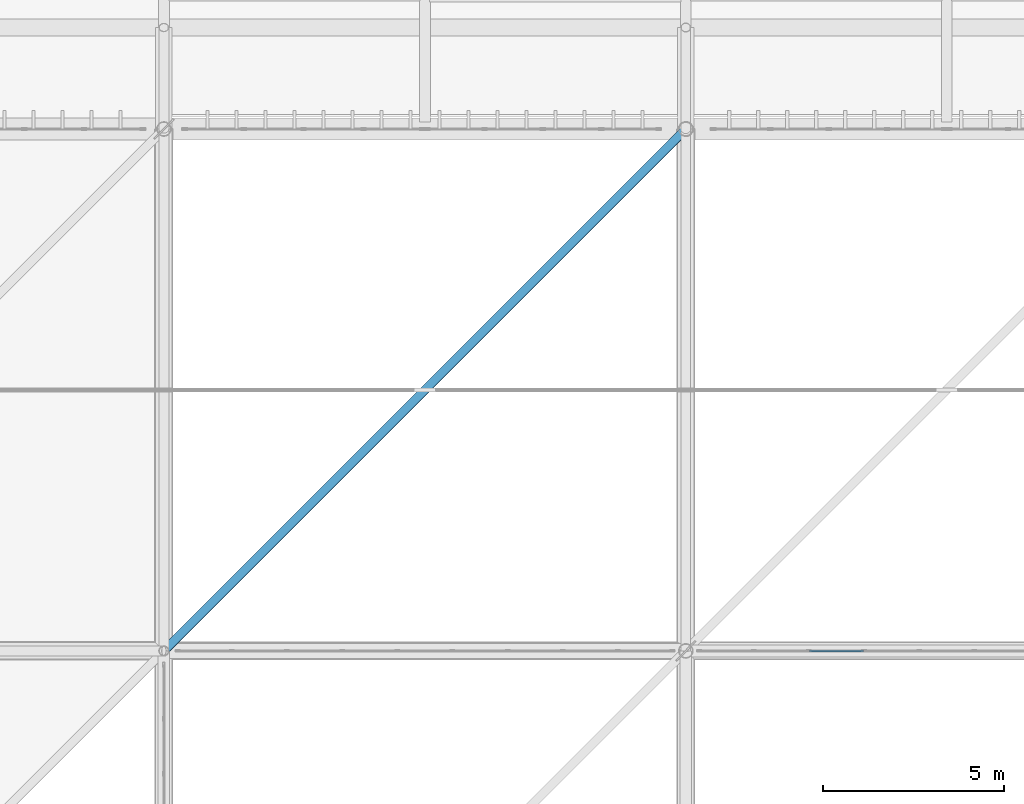
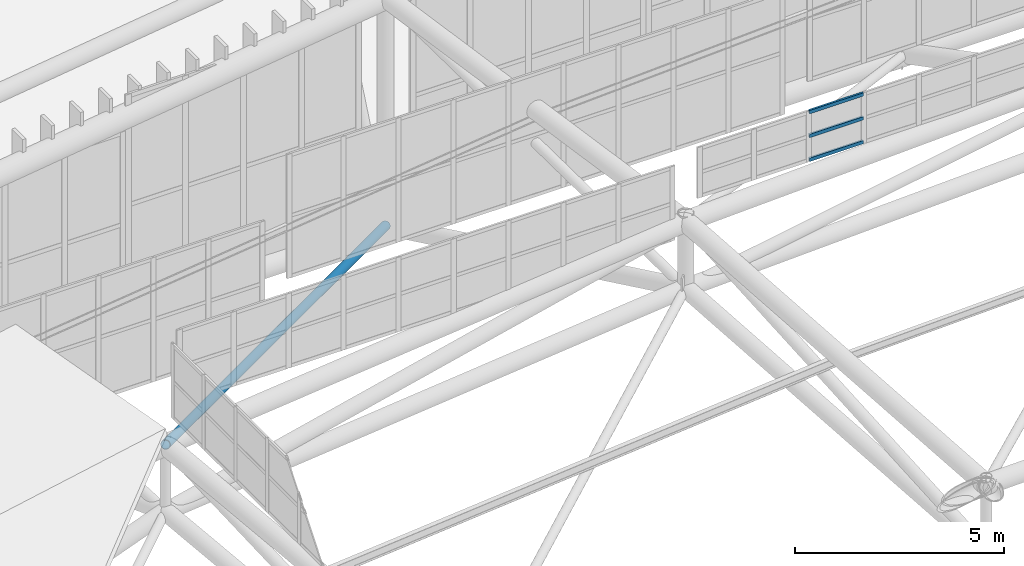
# One storey, part 236 of 397: 4 members, 1 element without a shape of its own.
"""IFC4 building model written with IfcOpenShell, lengths in metres."""

from ifc_helpers import new_model, si_unit, direction, frame, origin, origin_2d, place, context, subcontext, project, spatial, hollow_rectangle, hollow_circle, extrude, material, material_profile, profile_set, type_object, element, aggregate, save


model = new_model("IFC4")

# Units and contexts
model_context = context("Model", 3, precision=1e-05, world=origin(), true_north=direction((0.0, 1.0)))
body_context = subcontext(model_context, "Body", "Model", "MODEL_VIEW")
ifc_project = project(units=[si_unit("LENGTHUNIT", "METRE"), si_unit("AREAUNIT", "SQUARE_METRE"), si_unit("VOLUMEUNIT", "CUBIC_METRE"), si_unit("PLANEANGLEUNIT", "RADIAN"), si_unit("MASSUNIT", "GRAM", prefix="KILO")], contexts=[model_context])

# Site, building, storey
site_placement = place(None, origin())
site = spatial("IfcSite", under=ifc_project, at=site_placement, CompositionType="ELEMENT")
building_placement = place(site_placement, origin())
building = spatial("IfcBuilding", under=site, at=building_placement, Name="Qandorah Velis Arena", CompositionType="ELEMENT")
storey_placement = place(building_placement, frame((0.0, 0.0, 27.5)))
storey = spatial("IfcBuildingStorey", under=building, at=storey_placement, Name="RF", CompositionType="ELEMENT", Elevation=27.5)

# Curtain wall, members
ifc_material_1 = material(Name="Solar-control low-E double glazing", Category="glass")
curtain_wall_type = type_object("IfcCurtainWallType", Name="ARC-CW-SYS22", PredefinedType="USERDEFINED", material=ifc_material_1)
curtain_wall_placement = place(storey_placement, origin())
curtain_wall = element("IfcCurtainWall", 1, at=curtain_wall_placement, inside=storey, type_object=curtain_wall_type, Name="Unitised curtain wall OCULUS-4-2", ObjectType="UNITISED CURTAIN WALL", PredefinedType="USERDEFINED")
ifc_material_2 = material(Name="Champagne-bronze anodized aluminium 6063-T6", Category="aluminium")
ifc_material_profile_1 = material_profile(ifc_material_2, hollow_rectangle(XDim=0.054931640625, YDim=0.10009765625, WallThickness=0.0029296875, at=origin_2d()), Name="ALU TRANSOM 55x100")
ifc_profile_set_1 = profile_set([ifc_material_profile_1], Name="Champagne-bronze anodized aluminium 6063-T6")
member_type_1 = type_object("IfcMemberType", Name="ARC-CWT-100", PredefinedType="USERDEFINED", material=ifc_profile_set_1)
member_1_placement = place(storey_placement, frame((46.60986328125, 100.800048828125, 9.57666015625), z_axis=(1.0, 0.0, 0.0), x_axis=(0.0, 1.0, 0.0)))
member_1 = element("IfcMember", 2, at=member_1_placement, type_object=member_type_1, Name="CW22 transom 3.1", ObjectType="TRANSOM", PredefinedType="USERDEFINED", context=body_context, shape_type="SweptSolid", body=[
    extrude(hollow_rectangle(XDim=0.054931640625, YDim=0.10009765625, WallThickness=0.0029296875, at=origin_2d()), origin(), (0.0, 0.0, 1.0), 1.491455078125),
])
member_2_placement = place(storey_placement, frame((46.60986328125, 100.800048828125, 10.274658203125), z_axis=(1.0, 0.0, 0.0), x_axis=(0.0, 1.0, 0.0)))
member_2 = element("IfcMember", 3, at=member_2_placement, type_object=member_type_1, Name="CW22 transom 3.2", ObjectType="TRANSOM", PredefinedType="USERDEFINED", context=body_context, shape_type="SweptSolid", body=[
    extrude(hollow_rectangle(XDim=0.054931640625, YDim=0.10009765625, WallThickness=0.0029296875, at=origin_2d()), origin(), (0.0, 0.0, 1.0), 1.491455078125),
])
member_3_placement = place(storey_placement, frame((46.60986328125, 100.800048828125, 10.972412109375), z_axis=(1.0, 0.0, 0.0), x_axis=(0.0, 1.0, 0.0)))
member_3 = element("IfcMember", 4, at=member_3_placement, type_object=member_type_1, Name="CW22 transom 3.3", ObjectType="TRANSOM", PredefinedType="USERDEFINED", context=body_context, shape_type="SweptSolid", body=[
    extrude(hollow_rectangle(XDim=0.054931640625, YDim=0.10009765625, WallThickness=0.0029296875, at=origin_2d()), origin(), (0.0, 0.0, 1.0), 1.491455078125),
])
aggregate(curtain_wall, [member_1, member_2, member_3])

# Member
ifc_material_3 = material(Name="Steel S355", Category="steel")
ifc_material_profile_2 = material_profile(ifc_material_3, hollow_circle(Radius=0.122314453125, WallThickness=0.012451171875, at=origin_2d()), Name="CHS 244.5x12.5")
ifc_profile_set_2 = profile_set([ifc_material_profile_2], Name="Steel S355")
member_type_2 = type_object("IfcMemberType", Name="STR-SFD-CHS244X12", PredefinedType="STRUT", material=ifc_profile_set_2)
member_4_placement = place(storey_placement, frame((43.199951171875, 115.199951171875, 0.10009765625), z_axis=(-0.664953320397, -0.664953320397, 0.340109046315), x_axis=(0.707106781187, -0.707106781187, 0.0)))
element("IfcMember", 5, at=member_4_placement, inside=storey, type_object=member_type_2, Name="Space frame roof spatial diagonal 1.6", PredefinedType="STRUT", context=body_context, shape_type="SweptSolid", body=[
    extrude(hollow_circle(Radius=0.122314453125, WallThickness=0.012451171875, at=origin_2d()), origin(), (0.0, 0.0, 1.0), 21.655517578125),
])

save(model, "model.ifc")
